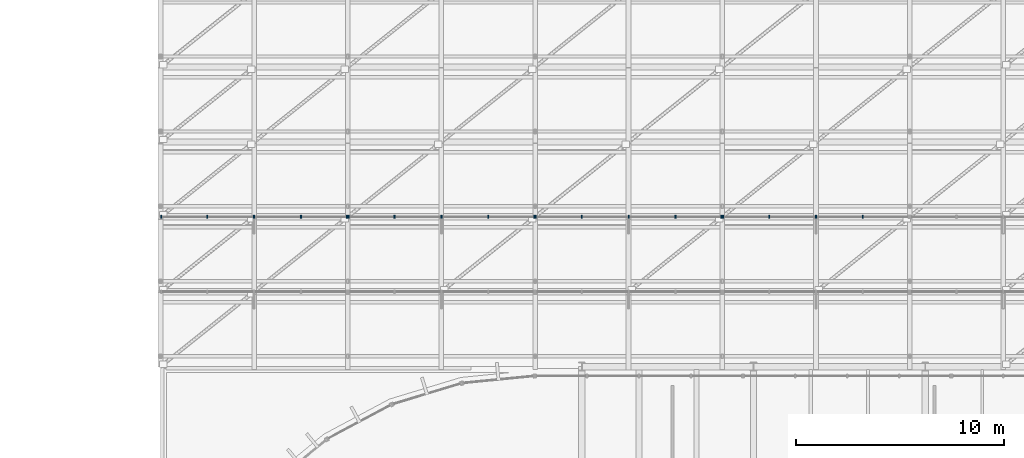
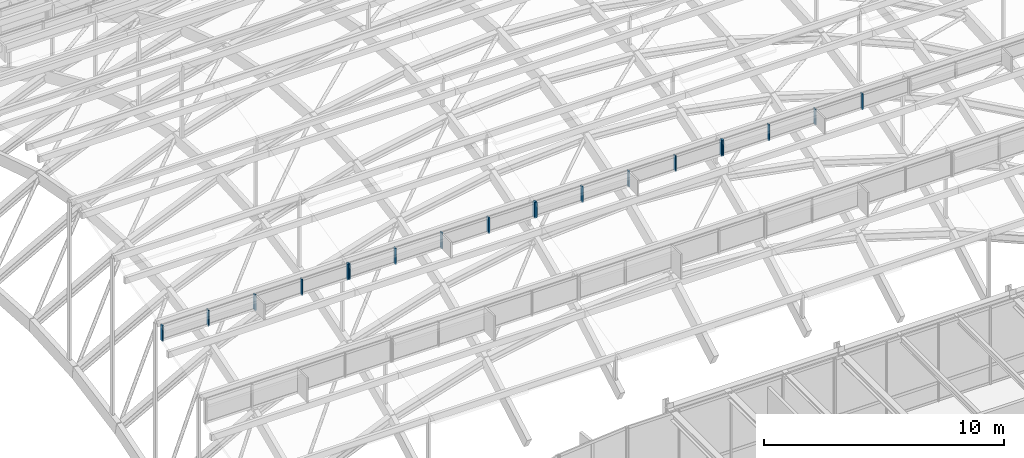
# One storey, part 38 of 69: 19 members, 4 elements without a shape of their own.
"""IFC4 building model written with IfcOpenShell, lengths in metres."""

from ifc_helpers import new_model, si_unit, direction, frame, origin, origin_2d, place, context, subcontext, project, spatial, rectangle, extrude, material, layer, layer_set, material_profile, profile_set, type_object, element, aggregate, save


model = new_model("IFC4")

# Units and contexts
model_context = context("Model", 3, precision=1e-05, world=origin(), true_north=direction((0.0, 1.0)))
body_context = subcontext(model_context, "Body", "Model", "MODEL_VIEW")
ifc_project = project(units=[si_unit("LENGTHUNIT", "METRE"), si_unit("AREAUNIT", "SQUARE_METRE"), si_unit("VOLUMEUNIT", "CUBIC_METRE"), si_unit("PLANEANGLEUNIT", "RADIAN"), si_unit("MASSUNIT", "GRAM", prefix="KILO")], contexts=[model_context])

# Site, building, storey
site_placement = place(None, origin())
site = spatial("IfcSite", under=ifc_project, at=site_placement, CompositionType="ELEMENT")
building_placement = place(site_placement, origin())
building = spatial("IfcBuilding", under=site, at=building_placement, Name="Montealbar Specialist Clinic", CompositionType="ELEMENT")
storey_placement = place(building_placement, frame((0.0, 0.0, 9.60009765625)))
storey = spatial("IfcBuildingStorey", under=building, at=storey_placement, Name="L02", CompositionType="ELEMENT", Elevation=9.60009765625)

# Curtain wall, members
ifc_material_1 = material(Name="Low-E double glazing", Category="glass")
ifc_layer = layer(ifc_material_1, 0.199951171875, Name="Low-E double glazing", Category="glass")
ifc_layer_set = layer_set([ifc_layer], Name="Low-E double glazing")
curtain_wall_type = type_object("IfcCurtainWallType", Name="CW-TYPE-48", PredefinedType="NOTDEFINED", material=ifc_layer_set)
curtain_wall_1_placement = place(storey_placement, origin())
curtain_wall_1 = element("IfcCurtainWall", 1, at=curtain_wall_1_placement, inside=storey, type_object=curtain_wall_type, Name="Unitised Curtain Wall CW-L02-540-522-630-522-196", PredefinedType="NOTDEFINED")
ifc_material_2 = material(Name="Anodised aluminium EN AW-6063", Category="aluminium")
ifc_material_profile = material_profile(ifc_material_2, rectangle(XDim=0.06005859375, YDim=0.159912109375, at=origin_2d()), Name="ALU 60x160", Category="aluminium")
ifc_profile_set = profile_set([ifc_material_profile], Name="Anodised aluminium EN AW-6063")
member_type = type_object("IfcMemberType", Name="CW-MUL-160", PredefinedType="MULLION", material=ifc_profile_set)
member_1_placement = place(storey_placement, frame((54.034912109375, 52.199951171875, 9.974853515625), z_axis=(0.0, 0.0, 1.0), x_axis=(1.0, 0.0, 0.0)))
member_1 = element("IfcMember", 2, at=member_1_placement, type_object=member_type, Name="Curtain Wall Mullion CW-L02-540-522-630-522-196-00", PredefinedType="MULLION", context=body_context, shape_type="SweptSolid", body=[
    extrude(rectangle(XDim=0.06005859375, YDim=0.159912109375, at=origin_2d()), origin(), (0.0, 0.0, 1.0), 0.803955078125),
])
member_2_placement = place(storey_placement, frame((56.25, 52.199951171875, 9.974853515625), z_axis=(0.0, 0.0, 1.0), x_axis=(1.0, 0.0, 0.0)))
member_2 = element("IfcMember", 3, at=member_2_placement, type_object=member_type, Name="Curtain Wall Mullion CW-L02-540-522-630-522-196-01", PredefinedType="MULLION", context=body_context, shape_type="SweptSolid", body=[
    extrude(rectangle(XDim=0.06005859375, YDim=0.159912109375, at=origin_2d()), origin(), (0.0, 0.0, 1.0), 0.803955078125),
])
member_3_placement = place(storey_placement, frame((58.5, 52.199951171875, 9.974853515625), z_axis=(0.0, 0.0, 1.0), x_axis=(1.0, 0.0, 0.0)))
member_3 = element("IfcMember", 4, at=member_3_placement, type_object=member_type, Name="Curtain Wall Mullion CW-L02-540-522-630-522-196-02", PredefinedType="MULLION", context=body_context, shape_type="SweptSolid", body=[
    extrude(rectangle(XDim=0.06005859375, YDim=0.159912109375, at=origin_2d()), origin(), (0.0, 0.0, 1.0), 0.803955078125),
])
member_4_placement = place(storey_placement, frame((60.75, 52.199951171875, 9.974853515625), z_axis=(0.0, 0.0, 1.0), x_axis=(1.0, 0.0, 0.0)))
member_4 = element("IfcMember", 5, at=member_4_placement, type_object=member_type, Name="Curtain Wall Mullion CW-L02-540-522-630-522-196-03", PredefinedType="MULLION", context=body_context, shape_type="SweptSolid", body=[
    extrude(rectangle(XDim=0.06005859375, YDim=0.159912109375, at=origin_2d()), origin(), (0.0, 0.0, 1.0), 0.803955078125),
])
member_5_placement = place(storey_placement, frame((62.965087890625, 52.199951171875, 9.974853515625), z_axis=(0.0, 0.0, 1.0), x_axis=(1.0, 0.0, 0.0)))
member_5 = element("IfcMember", 6, at=member_5_placement, type_object=member_type, Name="Curtain Wall Mullion CW-L02-540-522-630-522-196-04", PredefinedType="MULLION", context=body_context, shape_type="SweptSolid", body=[
    extrude(rectangle(XDim=0.06005859375, YDim=0.159912109375, at=origin_2d()), origin(), (0.0, 0.0, 1.0), 0.803955078125),
])
aggregate(curtain_wall_1, [member_1, member_2, member_3, member_4, member_5])

curtain_wall_2_placement = place(storey_placement, origin())
curtain_wall_2 = element("IfcCurtainWall", 7, at=curtain_wall_2_placement, inside=storey, type_object=curtain_wall_type, Name="Unitised Curtain Wall CW-L02-630-522-720-522-196", PredefinedType="NOTDEFINED")
member_6_placement = place(storey_placement, frame((63.034912109375, 52.199951171875, 9.974853515625), z_axis=(0.0, 0.0, 1.0), x_axis=(1.0, 0.0, 0.0)))
member_6 = element("IfcMember", 8, at=member_6_placement, type_object=member_type, Name="Curtain Wall Mullion CW-L02-630-522-720-522-196-00", PredefinedType="MULLION", context=body_context, shape_type="SweptSolid", body=[
    extrude(rectangle(XDim=0.06005859375, YDim=0.159912109375, at=origin_2d()), origin(), (0.0, 0.0, 1.0), 0.803955078125),
])
member_7_placement = place(storey_placement, frame((65.25, 52.199951171875, 9.974853515625), z_axis=(0.0, 0.0, 1.0), x_axis=(1.0, 0.0, 0.0)))
member_7 = element("IfcMember", 9, at=member_7_placement, type_object=member_type, Name="Curtain Wall Mullion CW-L02-630-522-720-522-196-01", PredefinedType="MULLION", context=body_context, shape_type="SweptSolid", body=[
    extrude(rectangle(XDim=0.06005859375, YDim=0.159912109375, at=origin_2d()), origin(), (0.0, 0.0, 1.0), 0.803955078125),
])
member_8_placement = place(storey_placement, frame((67.5, 52.199951171875, 9.974853515625), z_axis=(0.0, 0.0, 1.0), x_axis=(1.0, 0.0, 0.0)))
member_8 = element("IfcMember", 10, at=member_8_placement, type_object=member_type, Name="Curtain Wall Mullion CW-L02-630-522-720-522-196-02", PredefinedType="MULLION", context=body_context, shape_type="SweptSolid", body=[
    extrude(rectangle(XDim=0.06005859375, YDim=0.159912109375, at=origin_2d()), origin(), (0.0, 0.0, 1.0), 0.803955078125),
])
member_9_placement = place(storey_placement, frame((69.75, 52.199951171875, 9.974853515625), z_axis=(0.0, 0.0, 1.0), x_axis=(1.0, 0.0, 0.0)))
member_9 = element("IfcMember", 11, at=member_9_placement, type_object=member_type, Name="Curtain Wall Mullion CW-L02-630-522-720-522-196-03", PredefinedType="MULLION", context=body_context, shape_type="SweptSolid", body=[
    extrude(rectangle(XDim=0.06005859375, YDim=0.159912109375, at=origin_2d()), origin(), (0.0, 0.0, 1.0), 0.803955078125),
])
member_10_placement = place(storey_placement, frame((71.965087890625, 52.199951171875, 9.974853515625), z_axis=(0.0, 0.0, 1.0), x_axis=(1.0, 0.0, 0.0)))
member_10 = element("IfcMember", 12, at=member_10_placement, type_object=member_type, Name="Curtain Wall Mullion CW-L02-630-522-720-522-196-04", PredefinedType="MULLION", context=body_context, shape_type="SweptSolid", body=[
    extrude(rectangle(XDim=0.06005859375, YDim=0.159912109375, at=origin_2d()), origin(), (0.0, 0.0, 1.0), 0.803955078125),
])
aggregate(curtain_wall_2, [member_6, member_7, member_8, member_9, member_10])

curtain_wall_3_placement = place(storey_placement, origin())
curtain_wall_3 = element("IfcCurtainWall", 13, at=curtain_wall_3_placement, inside=storey, type_object=curtain_wall_type, Name="Unitised Curtain Wall CW-L02-720-522-810-522-196", PredefinedType="NOTDEFINED")
member_11_placement = place(storey_placement, frame((72.034912109375, 52.199951171875, 9.974853515625), z_axis=(0.0, 0.0, 1.0), x_axis=(1.0, 0.0, 0.0)))
member_11 = element("IfcMember", 14, at=member_11_placement, type_object=member_type, Name="Curtain Wall Mullion CW-L02-720-522-810-522-196-00", PredefinedType="MULLION", context=body_context, shape_type="SweptSolid", body=[
    extrude(rectangle(XDim=0.06005859375, YDim=0.159912109375, at=origin_2d()), origin(), (0.0, 0.0, 1.0), 0.803955078125),
])
member_12_placement = place(storey_placement, frame((74.25, 52.199951171875, 9.974853515625), z_axis=(0.0, 0.0, 1.0), x_axis=(1.0, 0.0, 0.0)))
member_12 = element("IfcMember", 15, at=member_12_placement, type_object=member_type, Name="Curtain Wall Mullion CW-L02-720-522-810-522-196-01", PredefinedType="MULLION", context=body_context, shape_type="SweptSolid", body=[
    extrude(rectangle(XDim=0.06005859375, YDim=0.159912109375, at=origin_2d()), origin(), (0.0, 0.0, 1.0), 0.803955078125),
])
member_13_placement = place(storey_placement, frame((76.5, 52.199951171875, 9.974853515625), z_axis=(0.0, 0.0, 1.0), x_axis=(1.0, 0.0, 0.0)))
member_13 = element("IfcMember", 16, at=member_13_placement, type_object=member_type, Name="Curtain Wall Mullion CW-L02-720-522-810-522-196-02", PredefinedType="MULLION", context=body_context, shape_type="SweptSolid", body=[
    extrude(rectangle(XDim=0.06005859375, YDim=0.159912109375, at=origin_2d()), origin(), (0.0, 0.0, 1.0), 0.803955078125),
])
member_14_placement = place(storey_placement, frame((78.75, 52.199951171875, 9.974853515625), z_axis=(0.0, 0.0, 1.0), x_axis=(1.0, 0.0, 0.0)))
member_14 = element("IfcMember", 17, at=member_14_placement, type_object=member_type, Name="Curtain Wall Mullion CW-L02-720-522-810-522-196-03", PredefinedType="MULLION", context=body_context, shape_type="SweptSolid", body=[
    extrude(rectangle(XDim=0.06005859375, YDim=0.159912109375, at=origin_2d()), origin(), (0.0, 0.0, 1.0), 0.803955078125),
])
member_15_placement = place(storey_placement, frame((80.965087890625, 52.199951171875, 9.974853515625), z_axis=(0.0, 0.0, 1.0), x_axis=(1.0, 0.0, 0.0)))
member_15 = element("IfcMember", 18, at=member_15_placement, type_object=member_type, Name="Curtain Wall Mullion CW-L02-720-522-810-522-196-04", PredefinedType="MULLION", context=body_context, shape_type="SweptSolid", body=[
    extrude(rectangle(XDim=0.06005859375, YDim=0.159912109375, at=origin_2d()), origin(), (0.0, 0.0, 1.0), 0.803955078125),
])
aggregate(curtain_wall_3, [member_11, member_12, member_13, member_14, member_15])

curtain_wall_4_placement = place(storey_placement, origin())
curtain_wall_4 = element("IfcCurtainWall", 19, at=curtain_wall_4_placement, inside=storey, type_object=curtain_wall_type, Name="Unitised Curtain Wall CW-L02-810-522-900-522-196", PredefinedType="NOTDEFINED")
member_16_placement = place(storey_placement, frame((81.034912109375, 52.199951171875, 9.974853515625), z_axis=(0.0, 0.0, 1.0), x_axis=(1.0, 0.0, 0.0)))
member_16 = element("IfcMember", 20, at=member_16_placement, type_object=member_type, Name="Curtain Wall Mullion CW-L02-810-522-900-522-196-00", PredefinedType="MULLION", context=body_context, shape_type="SweptSolid", body=[
    extrude(rectangle(XDim=0.06005859375, YDim=0.159912109375, at=origin_2d()), origin(), (0.0, 0.0, 1.0), 0.803955078125),
])
member_17_placement = place(storey_placement, frame((83.25, 52.199951171875, 9.974853515625), z_axis=(0.0, 0.0, 1.0), x_axis=(1.0, 0.0, 0.0)))
member_17 = element("IfcMember", 21, at=member_17_placement, type_object=member_type, Name="Curtain Wall Mullion CW-L02-810-522-900-522-196-01", PredefinedType="MULLION", context=body_context, shape_type="SweptSolid", body=[
    extrude(rectangle(XDim=0.06005859375, YDim=0.159912109375, at=origin_2d()), origin(), (0.0, 0.0, 1.0), 0.803955078125),
])
member_18_placement = place(storey_placement, frame((85.5, 52.199951171875, 9.974853515625), z_axis=(0.0, 0.0, 1.0), x_axis=(1.0, 0.0, 0.0)))
member_18 = element("IfcMember", 22, at=member_18_placement, type_object=member_type, Name="Curtain Wall Mullion CW-L02-810-522-900-522-196-02", PredefinedType="MULLION", context=body_context, shape_type="SweptSolid", body=[
    extrude(rectangle(XDim=0.06005859375, YDim=0.159912109375, at=origin_2d()), origin(), (0.0, 0.0, 1.0), 0.803955078125),
])
member_19_placement = place(storey_placement, frame((87.75, 52.199951171875, 9.974853515625), z_axis=(0.0, 0.0, 1.0), x_axis=(1.0, 0.0, 0.0)))
member_19 = element("IfcMember", 23, at=member_19_placement, type_object=member_type, Name="Curtain Wall Mullion CW-L02-810-522-900-522-196-03", PredefinedType="MULLION", context=body_context, shape_type="SweptSolid", body=[
    extrude(rectangle(XDim=0.06005859375, YDim=0.159912109375, at=origin_2d()), origin(), (0.0, 0.0, 1.0), 0.803955078125),
])
aggregate(curtain_wall_4, [member_16, member_17, member_18, member_19])

save(model, "model.ifc")
